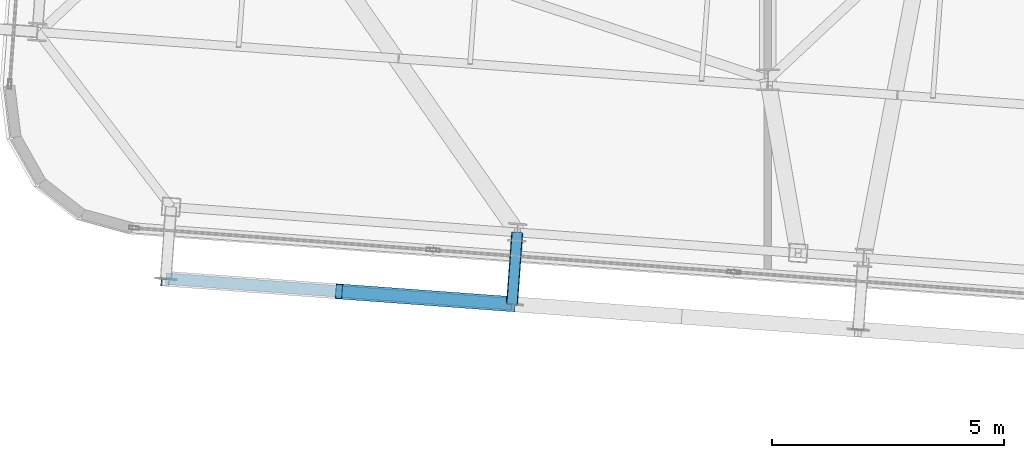
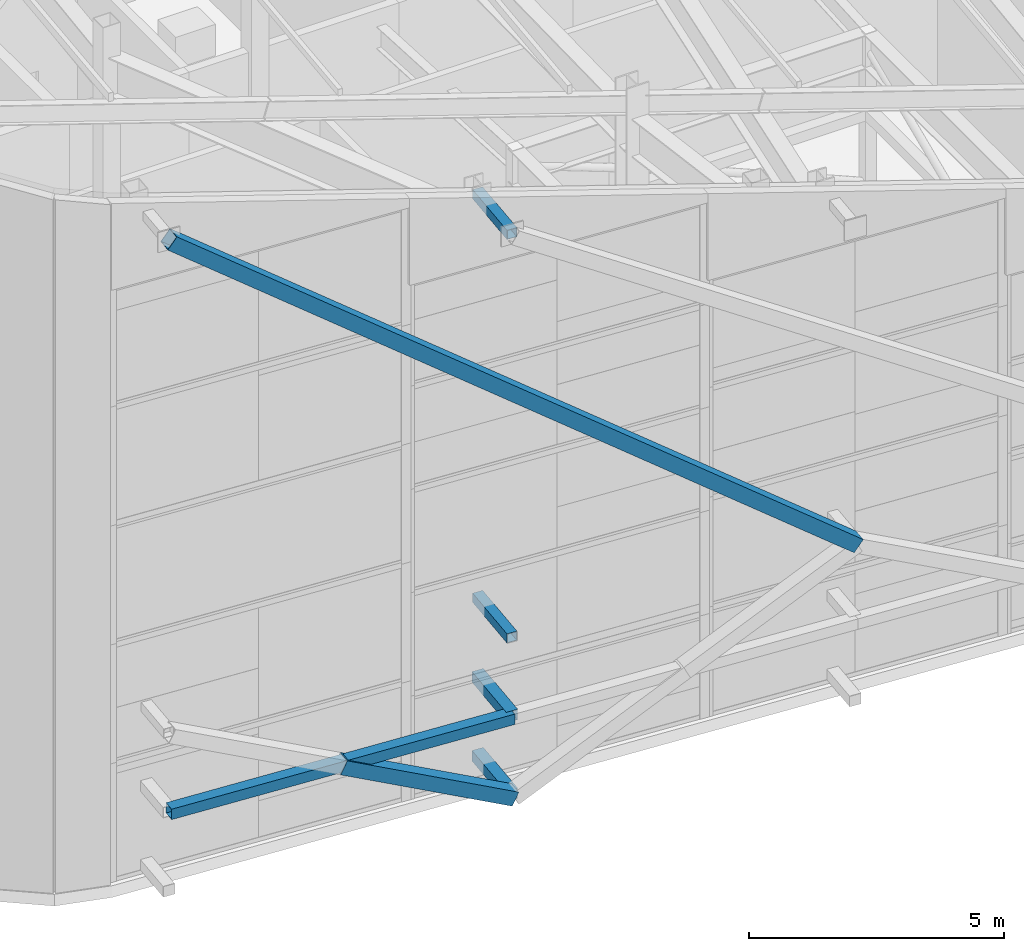
# One storey, part 5 of 56: 7 members.
"""IFC4 building model written with IfcOpenShell, lengths in metres."""

from ifc_helpers import new_model, si_unit, direction, frame, origin, origin_2d, place, context, subcontext, project, spatial, hollow_rectangle, extrude, source, transform, mapped, material, material_profile, profile_set, type_object, element, save


model = new_model("IFC4")

# Units and contexts
model_context = context("Model", 3, precision=1e-05, world=origin(), true_north=direction((0.0, 1.0)))
body_context = subcontext(model_context, "Body", "Model", "MODEL_VIEW")
ifc_project = project(units=[si_unit("LENGTHUNIT", "METRE"), si_unit("AREAUNIT", "SQUARE_METRE"), si_unit("VOLUMEUNIT", "CUBIC_METRE"), si_unit("PLANEANGLEUNIT", "RADIAN"), si_unit("MASSUNIT", "GRAM", prefix="KILO")], contexts=[model_context])

# Site, building, storey
site_placement = place(None, origin())
site = spatial("IfcSite", under=ifc_project, at=site_placement, CompositionType="ELEMENT")
building_placement = place(site_placement, origin())
building = spatial("IfcBuilding", under=site, at=building_placement, Name="Taldren Reach Tower", CompositionType="ELEMENT")
storey_placement = place(building_placement, frame((0.0, 0.0, 253.050048828125)))
storey = spatial("IfcBuildingStorey", under=building, at=storey_placement, Name="L77", CompositionType="ELEMENT", Elevation=253.050048828125)

# Members
ifc_material_1 = material(Name="Steel Gr 350 (C350L0)", Category="steel")
ifc_material_profile_1 = material_profile(ifc_material_1, hollow_rectangle(XDim=0.25, YDim=0.25, WallThickness=0.010009765625, at=origin_2d()), Name="250x250x10.0SHS")
ifc_profile_set_1 = profile_set([ifc_material_profile_1], Name="Steel Gr 350 (C350L0)")
member_type_1 = type_object("IfcMemberType", Name="MB-POST250", PredefinedType="POST", material=ifc_profile_set_1)
shared_shape_1 = source(origin(), body_context, "Body", "SweptSolid", [
    extrude(hollow_rectangle(XDim=0.25, YDim=0.25, WallThickness=0.010009765625, at=origin_2d()), origin(), (0.0, 0.0, 1.0), 1.5498046875),
])
for number, where, z_axis, x_axis, name in (
    (1, (22.6005859375, 5.912353515625, 0.219970703125), (-0.073250797913, -0.997313551801, 0.0), (0.997313551801, -0.073250797913, 0.0), "Exoskeleton base diaphragm tie strut B5-S2 L77"),
    (2, (22.6005859375, 5.912353515625, 2.10986328125), (-0.073250797913, -0.997313551801, 0.0), (0.997313551801, -0.073250797913, 0.0), "Exoskeleton mid-tier diaphragm tie B5-S2 L77"),
):
    element("IfcMember", number, at=place(storey_placement, frame(where, z_axis=z_axis, x_axis=x_axis)), inside=storey, type_object=member_type_1, Name=name, PredefinedType="POST", context=body_context, shape_type="MappedRepresentation", body=[
        mapped(shared_shape_1, transform((0.0, 0.0, 0.0), scale=1.0)),
    ])
ifc_material_2 = material(Name="Steel Gr 450 (C450L0)", Category="steel")
ifc_material_profile_2 = material_profile(ifc_material_2, hollow_rectangle(XDim=0.219970703125, YDim=0.219970703125, WallThickness=0.00830078125, at=origin_2d()), Name="220x220x8.2SHS")
ifc_profile_set_2 = profile_set([ifc_material_profile_2], Name="Steel Gr 450 (C450L0)")
member_type_2 = type_object("IfcMemberType", Name="MB-TIE219", PredefinedType="STRUT", material=ifc_profile_set_2)
shared_shape_2 = source(origin(), body_context, "Body", "SweptSolid", [
    extrude(hollow_rectangle(XDim=0.219970703125, YDim=0.219970703125, WallThickness=0.00830078125, at=origin_2d()), origin(), (0.0, 0.0, 1.0), 1.5498046875),
])
for number, where, z_axis, x_axis, name in (
    (3, (22.6005859375, 5.912353515625, 13.666259765625), (-0.073250797913, -0.997313551801, 0.0), (0.997313551801, -0.073250797913, 0.0), "Exoskeleton diaphragm tie strut B5-S2 L77"),
    (4, (22.6005859375, 5.912353515625, 4.0), (-0.073250797913, -0.997313551801, 0.0), (0.997313551801, -0.073250797913, 0.0), "Crown exoskeleton mid-tier tie strut B5-S2"),
):
    element("IfcMember", number, at=place(storey_placement, frame(where, z_axis=z_axis, x_axis=x_axis)), inside=storey, type_object=member_type_2, Name=name, PredefinedType="STRUT", context=body_context, shape_type="MappedRepresentation", body=[
        mapped(shared_shape_2, transform((0.0, 0.0, 0.0), scale=1.0)),
    ])
shared_shape_3 = source(origin(), body_context, "Body", "SweptSolid", [
    extrude(hollow_rectangle(XDim=0.25, YDim=0.25, WallThickness=0.010009765625, at=origin_2d()), origin(), (0.0, 0.0, 1.0), 7.47998046875),
])
member_1_placement = place(storey_placement, frame((15.027099609375, 4.914306640625, 2.10986328125), z_axis=(0.997316604227, -0.0732092271, 0.0), x_axis=(0.0732092271, 0.997316604227, 0.0)))
element("IfcMember", 5, at=member_1_placement, inside=storey, type_object=member_type_1, Name="Exoskeleton mid-height ring chord B5-S1 L77", PredefinedType="POST", context=body_context, shape_type="MappedRepresentation", body=[
    mapped(shared_shape_3, transform((0.0, 0.0, 0.0), scale=1.0)),
])
ifc_material_profile_3 = material_profile(ifc_material_2, hollow_rectangle(XDim=0.324951171875, YDim=0.324951171875, WallThickness=0.0126953125, at=origin_2d()), Name="325x325x12.7SHS")
ifc_profile_set_3 = profile_set([ifc_material_profile_3], Name="Steel Gr 450 (C450L0)")
member_type_3 = type_object("IfcMemberType", Name="MB-BR324", PredefinedType="BRACE", material=ifc_profile_set_3)
shared_shape_4 = source(origin(), body_context, "Body", "SweptSolid", [
    extrude(hollow_rectangle(XDim=0.324951171875, YDim=0.324951171875, WallThickness=0.0126953125, at=origin_2d()), origin(), (0.0, 0.0, 1.0), 4.1904296875),
])
member_2_placement = place(storey_placement, frame((22.487060546875, 4.36669921875, 0.219970703125), z_axis=(-0.890127751627, 0.065311769183, 0.451006605927), x_axis=(-0.073176762938, -0.997318986767, 0.0)))
element("IfcMember", 6, at=member_2_placement, inside=storey, type_object=member_type_3, Name="Exoskeleton Diagrid Brace B5-S1 L77", PredefinedType="BRACE", context=body_context, shape_type="MappedRepresentation", body=[
    mapped(shared_shape_4, transform((0.0, 0.0, 0.0), scale=1.0)),
])
shared_shape_5 = source(origin(), body_context, "Body", "SweptSolid", [
    extrude(hollow_rectangle(XDim=0.324951171875, YDim=0.324951171875, WallThickness=0.0126953125, at=origin_2d()), origin(), (0.0, 0.0, 1.0), 19.060302734375),
])
member_3_placement = place(storey_placement, frame((29.947021484375, 3.81884765625, 4.0), z_axis=(-0.782776834031, 0.057473485638, 0.619642821755), x_axis=(-0.073225459094, -0.997315412565, 0.0)))
element("IfcMember", 7, at=member_3_placement, inside=storey, type_object=member_type_3, Name="Slanted Crown Exoskeleton Diagrid Brace S", PredefinedType="BRACE", context=body_context, shape_type="MappedRepresentation", body=[
    mapped(shared_shape_5, transform((0.0, 0.0, 0.0), scale=1.0)),
])

save(model, "model.ifc")
